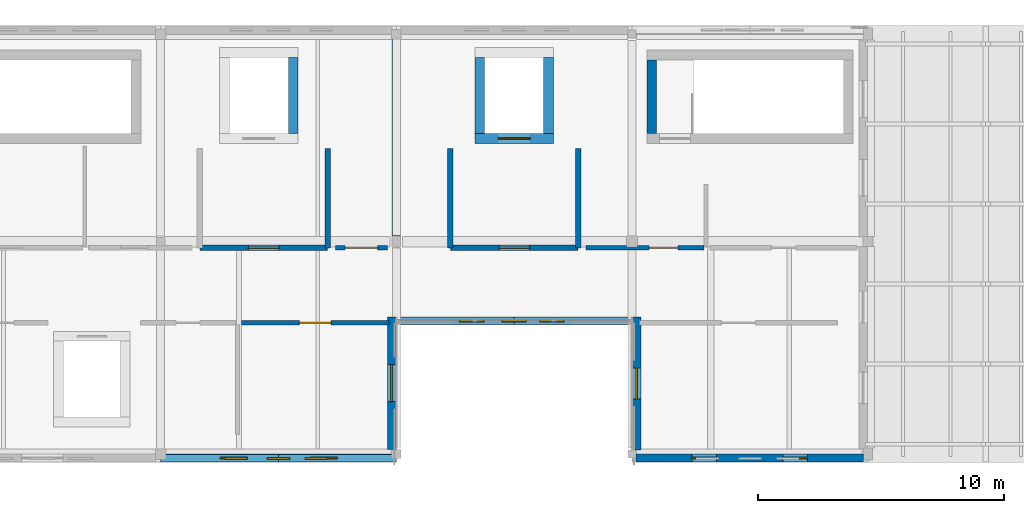
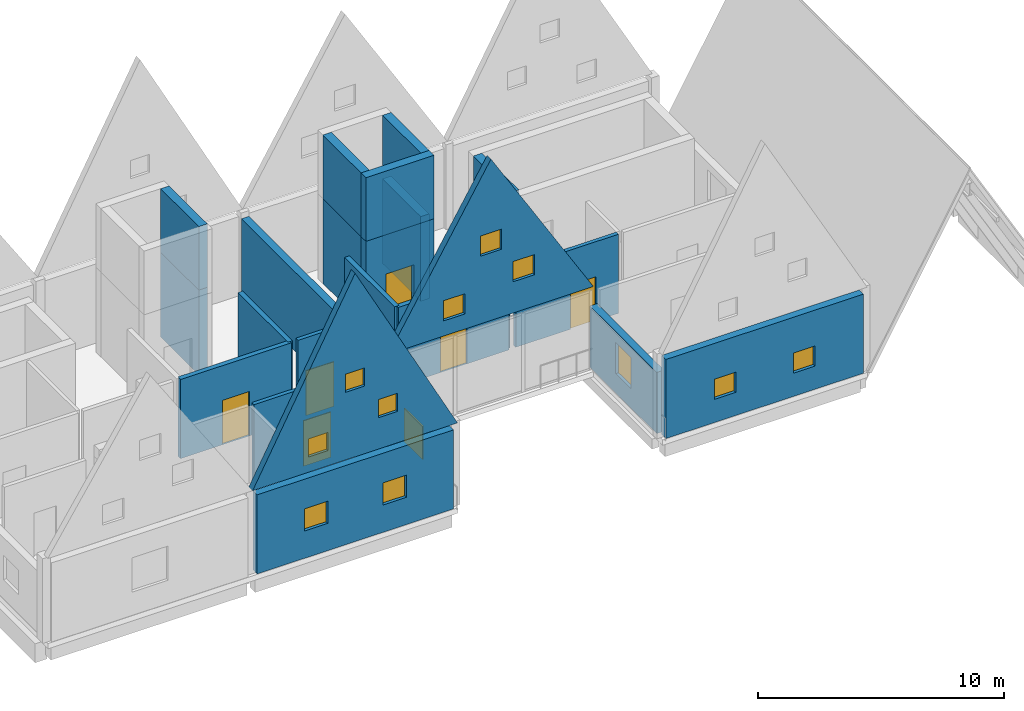
# One storey, part 9 of 13: 24 walls, 12 windows, 6 doors, 18 openings.
"""IFC4 building model written with IfcOpenShell, lengths in metres."""

from ifc_helpers import new_model, si_unit, direction, frame, frame_2d, origin, place, context, subcontext, project, spatial, polyline, rectangle, outline, extrude, material, layer, layer_set, type_object, element, fill, save


model = new_model("IFC4")

# Units and contexts
model_context = context("Model", 3, precision=1e-05, world=origin(), true_north=direction((0.0, 1.0)))
body_context = subcontext(model_context, "Body", "Model", "MODEL_VIEW")
ifc_project = project(units=[si_unit("LENGTHUNIT", "METRE"), si_unit("AREAUNIT", "SQUARE_METRE"), si_unit("VOLUMEUNIT", "CUBIC_METRE"), si_unit("PLANEANGLEUNIT", "RADIAN"), si_unit("MASSUNIT", "GRAM", prefix="KILO")], contexts=[model_context])

# Site, building, storey
site_placement = place(None, origin())
site = spatial("IfcSite", under=ifc_project, at=site_placement, CompositionType="ELEMENT")
building_placement = place(site_placement, origin())
building = spatial("IfcBuilding", under=site, at=building_placement, Name="Birchvale Park Specialist Clinic", CompositionType="ELEMENT")
storey_placement = place(building_placement, frame((0.0, 0.0, 22.199951171875)))
storey = spatial("IfcBuildingStorey", under=building, at=storey_placement, Name="L05", CompositionType="ELEMENT", Elevation=22.199951171875)

# Walls
ifc_material_1 = material(Name="Concrete C40/50", Category="concrete")
ifc_layer_1 = layer(ifc_material_1, 0.39990234375)
ifc_layer_set_1 = layer_set([ifc_layer_1], Name="Concrete C40/50")
wall_type_1 = type_object("IfcWallType", Name="WL-CW-120", PredefinedType="SHEAR", material=ifc_layer_set_1)
wall_1_placement = place(storey_placement, frame((91.0, 30.199951171875, 0.0), z_axis=(0.0, 0.0, 1.0), x_axis=(0.0, 1.0, 0.0)))
element("IfcWall", 1, at=wall_1_placement, inside=storey, type_object=wall_type_1, Name="L05 stair ST5 EI 120 enclosure wall (west)", PredefinedType="SHEAR", context=body_context, shape_type="SweptSolid", body=[
    extrude(rectangle(XDim=3.0, YDim=0.39990234375, at=frame_2d((1.5, 0.0))), origin(), (0.0, 0.0, 1.0), 3.920166015625),
])
wall_2_placement = place(storey_placement, frame((76.39990234375, 33.300048828125, 0.0), z_axis=(0.0, 0.0, 1.0), x_axis=(0.0, -1.0, 0.0)))
element("IfcWall", 2, at=wall_2_placement, inside=storey, type_object=wall_type_1, Name="L05 lift LF1 shaft wall (east)", PredefinedType="SHEAR", context=body_context, shape_type="SweptSolid", body=[
    extrude(rectangle(XDim=3.10009765625, YDim=0.39990234375, at=frame_2d((1.550048828125, 0.0))), origin(), (0.0, 0.0, 1.0), 4.199951171875),
])
wall_3_placement = place(storey_placement, frame((76.39990234375, 33.300048828125, 4.199951171875), z_axis=(0.0, 0.0, 1.0), x_axis=(0.0, -1.0, 0.0)))
element("IfcWall", 3, at=wall_3_placement, inside=storey, type_object=wall_type_1, Name="L06 lift LF1 shaft wall (east)", PredefinedType="SHEAR", context=body_context, shape_type="SweptSolid", body=[
    extrude(rectangle(XDim=3.10009765625, YDim=0.39990234375, at=frame_2d((1.550048828125, 0.0))), origin(), (0.0, 0.0, 1.0), 3.150146484375),
])

# Wall, opening, door
wall_4_placement = place(storey_placement, frame((83.800048828125, 30.0, 0.0), z_axis=(0.0, 0.0, 1.0), x_axis=(1.0, 0.0, 0.0)))
wall_4 = element("IfcWall", 4, at=wall_4_placement, inside=storey, type_object=wall_type_1, Name="L05 lift LF2 shaft wall (south)", PredefinedType="SHEAR", context=body_context, shape_type="SweptSolid", body=[
    extrude(rectangle(XDim=3.199951171875, YDim=0.39990234375, at=frame_2d((1.60009765625, 0.0))), origin(), (0.0, 0.0, 1.0), 4.199951171875),
])
opening_1_placement = place(wall_4_placement, frame((0.949951171875, 0.0, 0.0)))
opening_1 = element("IfcOpeningElement", 5, at=opening_1_placement, cuts=wall_4, Name="Opening LD-02", PredefinedType="OPENING", context=body_context, shape_type="SweptSolid", body=[
    extrude(rectangle(XDim=1.300048828125, YDim=2.25, at=frame_2d((0.64990234375, 1.125))), frame((0.0, 0.2099609375, 0.0), z_axis=(0.0, -1.0, 0.0), x_axis=(1.0, 0.0, 0.0)), (0.0, 0.0, 1.0), 0.419921875),
])
ifc_material_2 = material(Name="Solid-core birch veneer and anodised aluminium", Category="aluminium")
door_type_1 = type_object("IfcDoorType", Name="DR-LD-02", OperationType="DOUBLE_DOOR_SLIDING", PredefinedType="DOOR", material=ifc_material_2)
door_1_placement = place(opening_1_placement, origin())
door_1 = element("IfcDoor", 6, at=door_1_placement, inside=storey, type_object=door_type_1, Name="L05 lift LF2 sliding landing door", OperationType="DOUBLE_DOOR_SLIDING", OverallHeight=2.25, OverallWidth=1.300048828125, PredefinedType="DOOR", context=body_context, shape_type="SweptSolid", body=[
    extrude(rectangle(XDim=1.300048828125, YDim=2.25, at=frame_2d((0.64990234375, 1.125))), frame((0.0, 0.02490234375, 0.0), z_axis=(0.0, -1.0, 0.0), x_axis=(1.0, 0.0, 0.0)), (0.0, 0.0, 1.0), 0.050048828125),
])
fill(opening_1, door_1)

# Walls
for number, where, z_axis, x_axis, name in (
    (7, (84.0, 30.199951171875, 0.0), (0.0, 0.0, 1.0), (0.0, 1.0, 0.0), "L05 lift LF2 shaft wall (west)"),
    (8, (86.800048828125, 33.300048828125, 0.0), (0.0, 0.0, 1.0), (0.0, -1.0, 0.0), "L05 lift LF2 shaft wall (east)"),
):
    element("IfcWall", number, at=place(storey_placement, frame(where, z_axis=z_axis, x_axis=x_axis)), inside=storey, type_object=wall_type_1, Name=name, PredefinedType="SHEAR", context=body_context, shape_type="SweptSolid", body=[
        extrude(rectangle(XDim=3.10009765625, YDim=0.39990234375, at=frame_2d((1.550048828125, 0.0))), origin(), (0.0, 0.0, 1.0), 4.199951171875),
    ])
wall_5_placement = place(storey_placement, frame((83.800048828125, 30.0, 4.199951171875), z_axis=(0.0, 0.0, 1.0), x_axis=(1.0, 0.0, 0.0)))
element("IfcWall", 9, at=wall_5_placement, inside=storey, type_object=wall_type_1, Name="L06 lift LF2 shaft wall (south)", PredefinedType="SHEAR", context=body_context, shape_type="SweptSolid", body=[
    extrude(rectangle(XDim=3.199951171875, YDim=0.39990234375, at=frame_2d((1.60009765625, 0.0))), origin(), (0.0, 0.0, 1.0), 3.150146484375),
])
for number, where, z_axis, x_axis, name in (
    (10, (84.0, 30.199951171875, 4.199951171875), (0.0, 0.0, 1.0), (0.0, 1.0, 0.0), "L06 lift LF2 shaft wall (west)"),
    (11, (86.800048828125, 33.300048828125, 4.199951171875), (0.0, 0.0, 1.0), (0.0, -1.0, 0.0), "L06 lift LF2 shaft wall (east)"),
):
    element("IfcWall", number, at=place(storey_placement, frame(where, z_axis=z_axis, x_axis=x_axis)), inside=storey, type_object=wall_type_1, Name=name, PredefinedType="SHEAR", context=body_context, shape_type="SweptSolid", body=[
        extrude(rectangle(XDim=3.10009765625, YDim=0.39990234375, at=frame_2d((1.550048828125, 0.0))), origin(), (0.0, 0.0, 1.0), 3.150146484375),
    ])

# Wall, openings, windows
ifc_material_3 = material(Name="Lime-white mineral-rendered insulated masonry", Category="masonry")
ifc_layer_2 = layer(ifc_material_3, 0.340087890625)
ifc_layer_set_2 = layer_set([ifc_layer_2], Name="Lime-white mineral-rendered insulated masonry")
wall_type_2 = type_object("IfcWallType", Name="WL-EW-01", PredefinedType="STANDARD", material=ifc_layer_set_2)
wall_6_placement = place(storey_placement, frame((71.2099609375, 16.989990234375, 0.0), z_axis=(0.0, 0.0, 1.0), x_axis=(1.0, 0.0, 0.0)))
wall_6 = element("IfcWall", 12, at=wall_6_placement, inside=storey, type_object=wall_type_2, Name="V4 L05 exterior facade wall 297", PredefinedType="STANDARD", context=body_context, shape_type="SweptSolid", body=[
    extrude(rectangle(XDim=9.205078125, YDim=0.340087890625, at=frame_2d((4.6025390625, 0.0))), origin(), (0.0, 0.0, 1.0), 3.920166015625),
])
opening_2_placement = place(wall_6_placement, frame((2.21142578125, 0.0, 1.35009765625)))
opening_2 = element("IfcOpeningElement", 13, at=opening_2_placement, cuts=wall_6, Name="Opening W-SQ11", PredefinedType="OPENING", context=body_context, shape_type="SweptSolid", body=[
    extrude(rectangle(XDim=1.10009765625, YDim=1.10009765625, at=frame_2d((0.550048828125, 0.550048828125))), frame((0.0, 0.18017578125, 0.0), z_axis=(0.0, -1.0, 0.0), x_axis=(1.0, 0.0, 0.0)), (0.0, 0.0, 1.0), 0.360107421875),
])
opening_3_placement = place(wall_6_placement, frame((5.8935546875, 0.0, 1.35009765625)))
opening_3 = element("IfcOpeningElement", 14, at=opening_3_placement, cuts=wall_6, Name="Opening W-SQ11", PredefinedType="OPENING", context=body_context, shape_type="SweptSolid", body=[
    extrude(rectangle(XDim=1.10009765625, YDim=1.10009765625, at=frame_2d((0.550048828125, 0.550048828125))), frame((0.0, 0.18017578125, 0.0), z_axis=(0.0, -1.0, 0.0), x_axis=(1.0, 0.0, 0.0)), (0.0, 0.0, 1.0), 0.360107421875),
])
ifc_material_4 = material(Name="Solar-control low-E double glazing", Category="glass")
window_type_1 = type_object("IfcWindowType", Name="WIN-W-SQ11", PartitioningType="SINGLE_PANEL", PredefinedType="WINDOW", material=ifc_material_4)
window_1_placement = place(opening_2_placement, origin())
window_1 = element("IfcWindow", 15, at=window_1_placement, inside=storey, type_object=window_type_1, Name="V4 L05 cased window 155", OverallHeight=1.10009765625, OverallWidth=1.10009765625, PartitioningType="SINGLE_PANEL", PredefinedType="WINDOW", context=body_context, shape_type="SweptSolid", body=[
    extrude(rectangle(XDim=1.10009765625, YDim=1.10009765625, at=frame_2d((0.550048828125, 0.550048828125))), frame((0.0, 0.030029296875, 0.0), z_axis=(0.0, -1.0, 0.0), x_axis=(1.0, 0.0, 0.0)), (0.0, 0.0, 1.0), 0.06005859375),
])
fill(opening_2, window_1)
window_2_placement = place(opening_3_placement, origin())
window_2 = element("IfcWindow", 16, at=window_2_placement, inside=storey, type_object=window_type_1, Name="V4 L05 cased window 156", OverallHeight=1.10009765625, OverallWidth=1.10009765625, PartitioningType="SINGLE_PANEL", PredefinedType="WINDOW", context=body_context, shape_type="SweptSolid", body=[
    extrude(rectangle(XDim=1.10009765625, YDim=1.10009765625, at=frame_2d((0.550048828125, 0.550048828125))), frame((0.0, 0.030029296875, 0.0), z_axis=(0.0, -1.0, 0.0), x_axis=(1.0, 0.0, 0.0)), (0.0, 0.0, 1.0), 0.06005859375),
])
fill(opening_3, window_2)

# Wall, opening, window
wall_7_placement = place(storey_placement, frame((80.409912109375, 17.3349609375, 0.0), z_axis=(0.0, 0.0, 1.0), x_axis=(0.0, 1.0, 0.0)))
wall_7 = element("IfcWall", 17, at=wall_7_placement, inside=storey, type_object=wall_type_2, Name="V4 L05 exterior facade wall 298", PredefinedType="STANDARD", context=body_context, shape_type="SweptSolid", body=[
    extrude(rectangle(XDim=5.405029296875, YDim=0.340087890625, at=frame_2d((2.70263671875, 0.0))), origin(), (0.0, 0.0, 1.0), 3.03515625),
])
opening_4_placement = place(wall_7_placement, frame((1.952392578125, 0.0, 0.949951171875)))
opening_4 = element("IfcOpeningElement", 18, at=opening_4_placement, cuts=wall_7, Name="Opening W-CL03", PredefinedType="OPENING", context=body_context, shape_type="SweptSolid", body=[
    extrude(rectangle(XDim=1.5, YDim=1.64990234375, at=frame_2d((0.75, 0.824951171875))), frame((0.0, 0.18017578125, 0.0), z_axis=(0.0, -1.0, 0.0), x_axis=(1.0, 0.0, 0.0)), (0.0, 0.0, 1.0), 0.360107421875),
])
window_type_2 = type_object("IfcWindowType", Name="WIN-W-CL03", PartitioningType="SINGLE_PANEL", PredefinedType="WINDOW", material=ifc_material_4)
window_3_placement = place(opening_4_placement, origin())
window_3 = element("IfcWindow", 19, at=window_3_placement, inside=storey, type_object=window_type_2, Name="V4 L05 cased window 157", OverallHeight=1.64990234375, OverallWidth=1.5, PartitioningType="SINGLE_PANEL", PredefinedType="WINDOW", context=body_context, shape_type="SweptSolid", body=[
    extrude(rectangle(XDim=1.5, YDim=1.64990234375, at=frame_2d((0.75, 0.824951171875))), frame((0.0, 0.030029296875, 0.0), z_axis=(0.0, -1.0, 0.0), x_axis=(1.0, 0.0, 0.0)), (0.0, 0.0, 1.0), 0.06005859375),
])
fill(opening_4, window_3)

wall_8_placement = place(storey_placement, frame((90.389892578125, 22.739990234375, 0.0), z_axis=(0.0, 0.0, 1.0), x_axis=(0.0, -1.0, 0.0)))
wall_8 = element("IfcWall", 20, at=wall_8_placement, inside=storey, type_object=wall_type_2, Name="V4 L05 exterior facade wall 299", PredefinedType="STANDARD", context=body_context, shape_type="SweptSolid", body=[
    extrude(rectangle(XDim=5.429931640625, YDim=0.340087890625, at=frame_2d((2.71484375, 0.0))), origin(), (0.0, 0.0, 1.0), 3.03515625),
])
opening_5_placement = place(wall_8_placement, frame((2.090087890625, 0.0, 0.949951171875)))
opening_5 = element("IfcOpeningElement", 21, at=opening_5_placement, cuts=wall_8, Name="Opening W-CL14", PredefinedType="OPENING", context=body_context, shape_type="SweptSolid", body=[
    extrude(rectangle(XDim=1.25, YDim=1.550048828125, at=frame_2d((0.625, 0.77490234375))), frame((0.0, 0.18017578125, 0.0), z_axis=(0.0, -1.0, 0.0), x_axis=(1.0, 0.0, 0.0)), (0.0, 0.0, 1.0), 0.360107421875),
])
window_type_3 = type_object("IfcWindowType", Name="WIN-W-CL14", PartitioningType="SINGLE_PANEL", PredefinedType="WINDOW", material=ifc_material_4)
window_4_placement = place(opening_5_placement, origin())
window_4 = element("IfcWindow", 22, at=window_4_placement, inside=storey, type_object=window_type_3, Name="V4 L05 cased window 158", OverallHeight=1.550048828125, OverallWidth=1.25, PartitioningType="SINGLE_PANEL", PredefinedType="WINDOW", context=body_context, shape_type="SweptSolid", body=[
    extrude(rectangle(XDim=1.25, YDim=1.550048828125, at=frame_2d((0.625, 0.77490234375))), frame((0.0, 0.030029296875, 0.0), z_axis=(0.0, -1.0, 0.0), x_axis=(1.0, 0.0, 0.0)), (0.0, 0.0, 1.0), 0.06005859375),
])
fill(opening_5, window_4)

# Wall, openings, windows
wall_9_placement = place(storey_placement, frame((90.360107421875, 16.989990234375, 0.0), z_axis=(0.0, 0.0, 1.0), x_axis=(1.0, 0.0, 0.0)))
wall_9 = element("IfcWall", 23, at=wall_9_placement, inside=storey, type_object=wall_type_2, Name="V4 L05 exterior facade wall 300", PredefinedType="STANDARD", context=body_context, shape_type="SweptSolid", body=[
    extrude(rectangle(XDim=9.260009765625, YDim=0.340087890625, at=frame_2d((4.6298828125, 0.0))), origin(), (0.0, 0.0, 1.0), 3.920166015625),
])
opening_6_placement = place(wall_9_placement, frame((2.278076171875, 0.0, 1.14990234375)))
opening_6 = element("IfcOpeningElement", 24, at=opening_6_placement, cuts=wall_9, Name="Opening W-SQ10", PredefinedType="OPENING", context=body_context, shape_type="SweptSolid", body=[
    extrude(rectangle(XDim=1.0, YDim=1.0, at=frame_2d((0.5, 0.5))), frame((0.0, 0.18017578125, 0.0), z_axis=(0.0, -1.0, 0.0), x_axis=(1.0, 0.0, 0.0)), (0.0, 0.0, 1.0), 0.360107421875),
])
opening_7_placement = place(wall_9_placement, frame((5.98193359375, 0.0, 1.14990234375)))
opening_7 = element("IfcOpeningElement", 25, at=opening_7_placement, cuts=wall_9, Name="Opening W-SQ10", PredefinedType="OPENING", context=body_context, shape_type="SweptSolid", body=[
    extrude(rectangle(XDim=1.0, YDim=1.0, at=frame_2d((0.5, 0.5))), frame((0.0, 0.18017578125, 0.0), z_axis=(0.0, -1.0, 0.0), x_axis=(1.0, 0.0, 0.0)), (0.0, 0.0, 1.0), 0.360107421875),
])
window_type_4 = type_object("IfcWindowType", Name="WIN-W-SQ10", PartitioningType="SINGLE_PANEL", PredefinedType="WINDOW", material=ifc_material_4)
window_5_placement = place(opening_6_placement, origin())
window_5 = element("IfcWindow", 26, at=window_5_placement, inside=storey, type_object=window_type_4, Name="V4 L05 cased window 159", OverallHeight=1.0, OverallWidth=1.0, PartitioningType="SINGLE_PANEL", PredefinedType="WINDOW", context=body_context, shape_type="SweptSolid", body=[
    extrude(rectangle(XDim=1.0, YDim=1.0, at=frame_2d((0.5, 0.5))), frame((0.0, 0.030029296875, 0.0), z_axis=(0.0, -1.0, 0.0), x_axis=(1.0, 0.0, 0.0)), (0.0, 0.0, 1.0), 0.06005859375),
])
fill(opening_6, window_5)
window_6_placement = place(opening_7_placement, origin())
window_6 = element("IfcWindow", 27, at=window_6_placement, inside=storey, type_object=window_type_4, Name="V4 L05 cased window 160", OverallHeight=1.0, OverallWidth=1.0, PartitioningType="SINGLE_PANEL", PredefinedType="WINDOW", context=body_context, shape_type="SweptSolid", body=[
    extrude(rectangle(XDim=1.0, YDim=1.0, at=frame_2d((0.5, 0.5))), frame((0.0, 0.030029296875, 0.0), z_axis=(0.0, -1.0, 0.0), x_axis=(1.0, 0.0, 0.0)), (0.0, 0.0, 1.0), 0.06005859375),
])
fill(opening_7, window_6)

ifc_layer_3 = layer(ifc_material_3, 0.31005859375)
ifc_layer_set_3 = layer_set([ifc_layer_3], Name="Lime-white mineral-rendered insulated masonry")
wall_type_3 = type_object("IfcWallType", Name="WL-EW-02", PredefinedType="STANDARD", material=ifc_layer_set_3)
wall_10_placement = place(storey_placement, frame((71.0, 16.97509765625, 4.199951171875), z_axis=(0.0, 0.0, 1.0), x_axis=(1.0, 0.0, 0.0)))
wall_10 = element("IfcWall", 28, at=wall_10_placement, inside=storey, type_object=wall_type_3, Name="L06 white house-gable end wall Bay 3 S", PredefinedType="STANDARD", context=body_context, shape_type="SweptSolid", body=[
    extrude(outline(polyline([(0.0, 0.0), (9.60009765625, 0.0), (9.60009765625, 0.0), (4.800048828125, 9.090087890625), (0.0, 0.0), (0.0, 0.0)])), frame((0.0, 0.155029296875, 0.0), z_axis=(0.0, -1.0, 0.0), x_axis=(1.0, 0.0, 0.0)), (0.0, 0.0, 1.0), 0.31005859375),
])
opening_8_placement = place(wall_10_placement, frame((2.6220703125, 0.0, 0.75)))
opening_8 = element("IfcOpeningElement", 29, at=opening_8_placement, cuts=wall_10, Name="Opening W-SQ09", PredefinedType="OPENING", context=body_context, shape_type="SweptSolid", body=[
    extrude(rectangle(XDim=0.89990234375, YDim=0.89990234375, at=frame_2d((0.449951171875, 0.449951171875))), frame((0.0, 0.1650390625, 0.0), z_axis=(0.0, -1.0, 0.0), x_axis=(1.0, 0.0, 0.0)), (0.0, 0.0, 1.0), 0.330078125),
])
opening_9_placement = place(wall_10_placement, frame((5.885986328125, 0.0, 1.550048828125)))
opening_9 = element("IfcOpeningElement", 30, at=opening_9_placement, cuts=wall_10, Name="Opening W-SQ09", PredefinedType="OPENING", context=body_context, shape_type="SweptSolid", body=[
    extrude(rectangle(XDim=0.89990234375, YDim=0.89990234375, at=frame_2d((0.449951171875, 0.449951171875))), frame((0.0, 0.1650390625, 0.0), z_axis=(0.0, -1.0, 0.0), x_axis=(1.0, 0.0, 0.0)), (0.0, 0.0, 1.0), 0.330078125),
])
opening_10_placement = place(wall_10_placement, frame((4.35009765625, 0.0, 3.35009765625)))
opening_10 = element("IfcOpeningElement", 31, at=opening_10_placement, cuts=wall_10, Name="Opening W-SQ09", PredefinedType="OPENING", context=body_context, shape_type="SweptSolid", body=[
    extrude(rectangle(XDim=0.89990234375, YDim=0.89990234375, at=frame_2d((0.449951171875, 0.449951171875))), frame((0.0, 0.1650390625, 0.0), z_axis=(0.0, -1.0, 0.0), x_axis=(1.0, 0.0, 0.0)), (0.0, 0.0, 1.0), 0.330078125),
])
window_type_5 = type_object("IfcWindowType", Name="WIN-W-SQ09", PartitioningType="SINGLE_PANEL", PredefinedType="WINDOW", material=ifc_material_4)
window_7_placement = place(opening_8_placement, origin())
window_7 = element("IfcWindow", 32, at=window_7_placement, inside=storey, type_object=window_type_5, Name="L06 gable square window Bay 3 S.1", OverallHeight=0.89990234375, OverallWidth=0.89990234375, PartitioningType="SINGLE_PANEL", PredefinedType="WINDOW", context=body_context, shape_type="SweptSolid", body=[
    extrude(rectangle(XDim=0.89990234375, YDim=0.89990234375, at=frame_2d((0.449951171875, 0.449951171875))), frame((0.0, 0.030029296875, 0.0), z_axis=(0.0, -1.0, 0.0), x_axis=(1.0, 0.0, 0.0)), (0.0, 0.0, 1.0), 0.06005859375),
])
fill(opening_8, window_7)
window_8_placement = place(opening_9_placement, origin())
window_8 = element("IfcWindow", 33, at=window_8_placement, inside=storey, type_object=window_type_5, Name="L06 gable square window Bay 3 S.2", OverallHeight=0.89990234375, OverallWidth=0.89990234375, PartitioningType="SINGLE_PANEL", PredefinedType="WINDOW", context=body_context, shape_type="SweptSolid", body=[
    extrude(rectangle(XDim=0.89990234375, YDim=0.89990234375, at=frame_2d((0.449951171875, 0.449951171875))), frame((0.0, 0.030029296875, 0.0), z_axis=(0.0, -1.0, 0.0), x_axis=(1.0, 0.0, 0.0)), (0.0, 0.0, 1.0), 0.06005859375),
])
fill(opening_9, window_8)
window_9_placement = place(opening_10_placement, origin())
window_9 = element("IfcWindow", 34, at=window_9_placement, inside=storey, type_object=window_type_5, Name="L06 gable square window Bay 3 S.3", OverallHeight=0.89990234375, OverallWidth=0.89990234375, PartitioningType="SINGLE_PANEL", PredefinedType="WINDOW", context=body_context, shape_type="SweptSolid", body=[
    extrude(rectangle(XDim=0.89990234375, YDim=0.89990234375, at=frame_2d((0.449951171875, 0.449951171875))), frame((0.0, 0.030029296875, 0.0), z_axis=(0.0, -1.0, 0.0), x_axis=(1.0, 0.0, 0.0)), (0.0, 0.0, 1.0), 0.06005859375),
])
fill(opening_10, window_9)

wall_11_placement = place(storey_placement, frame((80.60009765625, 22.574951171875, 4.199951171875), z_axis=(0.0, 0.0, 1.0), x_axis=(1.0, 0.0, 0.0)))
wall_11 = element("IfcWall", 35, at=wall_11_placement, inside=storey, type_object=wall_type_3, Name="L06 white house-gable end wall Bay 4 S", PredefinedType="STANDARD", context=body_context, shape_type="SweptSolid", body=[
    extrude(outline(polyline([(0.0, 0.0), (9.599853515625, 0.0), (9.60009765625, 0.0), (4.800048828125, 7.989990234375), (0.0, 0.0), (0.0, 0.0)])), frame((0.0, 0.155029296875, 0.0), z_axis=(0.0, -1.0, 0.0), x_axis=(1.0, 0.0, 0.0)), (0.0, 0.0, 1.0), 0.31005859375),
])
opening_11_placement = place(wall_11_placement, frame((2.572021484375, 0.0, 0.75)))
opening_11 = element("IfcOpeningElement", 36, at=opening_11_placement, cuts=wall_11, Name="Opening W-SQ10", PredefinedType="OPENING", context=body_context, shape_type="SweptSolid", body=[
    extrude(rectangle(XDim=1.0, YDim=1.0, at=frame_2d((0.5, 0.5))), frame((0.0, 0.1650390625, 0.0), z_axis=(0.0, -1.0, 0.0), x_axis=(1.0, 0.0, 0.0)), (0.0, 0.0, 1.0), 0.330078125),
])
opening_12_placement = place(wall_11_placement, frame((5.8359375, 0.0, 1.550048828125)))
opening_12 = element("IfcOpeningElement", 37, at=opening_12_placement, cuts=wall_11, Name="Opening W-SQ10", PredefinedType="OPENING", context=body_context, shape_type="SweptSolid", body=[
    extrude(rectangle(XDim=1.0, YDim=1.0, at=frame_2d((0.5, 0.5))), frame((0.0, 0.1650390625, 0.0), z_axis=(0.0, -1.0, 0.0), x_axis=(1.0, 0.0, 0.0)), (0.0, 0.0, 1.0), 0.330078125),
])
opening_13_placement = place(wall_11_placement, frame((4.300048828125, 0.0, 3.35009765625)))
opening_13 = element("IfcOpeningElement", 38, at=opening_13_placement, cuts=wall_11, Name="Opening W-SQ10", PredefinedType="OPENING", context=body_context, shape_type="SweptSolid", body=[
    extrude(rectangle(XDim=1.0, YDim=1.0, at=frame_2d((0.5, 0.5))), frame((0.0, 0.1650390625, 0.0), z_axis=(0.0, -1.0, 0.0), x_axis=(1.0, 0.0, 0.0)), (0.0, 0.0, 1.0), 0.330078125),
])
window_10_placement = place(opening_11_placement, origin())
window_10 = element("IfcWindow", 39, at=window_10_placement, inside=storey, type_object=window_type_4, Name="L06 gable square window Bay 4 S.1", OverallHeight=1.0, OverallWidth=1.0, PartitioningType="SINGLE_PANEL", PredefinedType="WINDOW", context=body_context, shape_type="SweptSolid", body=[
    extrude(rectangle(XDim=1.0, YDim=1.0, at=frame_2d((0.5, 0.5))), frame((0.0, 0.030029296875, 0.0), z_axis=(0.0, -1.0, 0.0), x_axis=(1.0, 0.0, 0.0)), (0.0, 0.0, 1.0), 0.06005859375),
])
fill(opening_11, window_10)
window_11_placement = place(opening_12_placement, origin())
window_11 = element("IfcWindow", 40, at=window_11_placement, inside=storey, type_object=window_type_4, Name="L06 gable square window Bay 4 S.2", OverallHeight=1.0, OverallWidth=1.0, PartitioningType="SINGLE_PANEL", PredefinedType="WINDOW", context=body_context, shape_type="SweptSolid", body=[
    extrude(rectangle(XDim=1.0, YDim=1.0, at=frame_2d((0.5, 0.5))), frame((0.0, 0.030029296875, 0.0), z_axis=(0.0, -1.0, 0.0), x_axis=(1.0, 0.0, 0.0)), (0.0, 0.0, 1.0), 0.06005859375),
])
fill(opening_12, window_11)
window_12_placement = place(opening_13_placement, origin())
window_12 = element("IfcWindow", 41, at=window_12_placement, inside=storey, type_object=window_type_4, Name="L06 gable square window Bay 4 S.3", OverallHeight=1.0, OverallWidth=1.0, PartitioningType="SINGLE_PANEL", PredefinedType="WINDOW", context=body_context, shape_type="SweptSolid", body=[
    extrude(rectangle(XDim=1.0, YDim=1.0, at=frame_2d((0.5, 0.5))), frame((0.0, 0.030029296875, 0.0), z_axis=(0.0, -1.0, 0.0), x_axis=(1.0, 0.0, 0.0)), (0.0, 0.0, 1.0), 0.06005859375),
])
fill(opening_13, window_12)

# Wall, opening, door
ifc_material_5 = material(Name="Acoustic gypsum board on metal framing")
ifc_layer_4 = layer(ifc_material_5, 0.219970703125)
ifc_layer_set_4 = layer_set([ifc_layer_4], Name="Acoustic gypsum board on metal framing")
wall_type_4 = type_object("IfcWallType", Name="WL-IW-120", PredefinedType="PARTITIONING", material=ifc_layer_set_4)
wall_12_placement = place(storey_placement, frame((72.60009765625, 25.550048828125, 0.0), z_axis=(0.0, 0.0, 1.0), x_axis=(1.0, 0.0, 0.0)))
wall_12 = element("IfcWall", 42, at=wall_12_placement, inside=storey, type_object=wall_type_4, Name="L05 firefighting lift lobby K4 EI 120 wall (south)", PredefinedType="PARTITIONING", context=body_context, shape_type="SweptSolid", body=[
    extrude(rectangle(XDim=5.199951171875, YDim=0.219970703125, at=frame_2d((2.60009765625, 0.0))), origin(), (0.0, 0.0, 1.0), 3.920166015625),
])
opening_14_placement = place(wall_12_placement, frame((1.97509765625, 0.0, 0.0)))
opening_14 = element("IfcOpeningElement", 43, at=opening_14_placement, cuts=wall_12, Name="Opening ID-FD60", PredefinedType="OPENING", context=body_context, shape_type="SweptSolid", body=[
    extrude(rectangle(XDim=1.25, YDim=2.199951171875, at=frame_2d((0.625, 1.10009765625))), frame((0.0, 0.1201171875, 0.0), z_axis=(0.0, -1.0, 0.0), x_axis=(1.0, 0.0, 0.0)), (0.0, 0.0, 1.0), 0.239990234375),
])
door_type_2 = type_object("IfcDoorType", Name="DR-ID-FD60", OperationType="NOTDEFINED", PredefinedType="DOOR", material=ifc_material_2)
door_2_placement = place(opening_14_placement, origin())
door_2 = element("IfcDoor", 44, at=door_2_placement, inside=storey, type_object=door_type_2, Name="L05 firefighting lobby K4 fire door", OperationType="SINGLE_SWING_RIGHT", OverallHeight=2.199951171875, OverallWidth=1.25, PredefinedType="DOOR", context=body_context, shape_type="SweptSolid", body=[
    extrude(rectangle(XDim=1.25, YDim=2.199951171875, at=frame_2d((0.625, 1.10009765625))), frame((0.0, 0.02490234375, 0.0), z_axis=(0.0, -1.0, 0.0), x_axis=(1.0, 0.0, 0.0)), (0.0, 0.0, 1.0), 0.050048828125),
])
fill(opening_14, door_2)

# Walls
for number, where, z_axis, x_axis, name in (
    (45, (77.800048828125, 25.550048828125, 0.0), (0.0, 0.0, 1.0), (0.0, 1.0, 0.0), "L05 firefighting lift lobby K4 EI 120 wall (east)"),
    (46, (82.800048828125, 29.60009765625, 0.0), (0.0, 0.0, 1.0), (0.0, -1.0, 0.0), "L05 firefighting lift lobby K5 EI 120 wall (west)"),
):
    element("IfcWall", number, at=place(storey_placement, frame(where, z_axis=z_axis, x_axis=x_axis)), inside=storey, type_object=wall_type_4, Name=name, PredefinedType="PARTITIONING", context=body_context, shape_type="SweptSolid", body=[
        extrude(rectangle(XDim=4.050048828125, YDim=0.219970703125, at=frame_2d((2.02490234375, 0.0))), origin(), (0.0, 0.0, 1.0), 3.920166015625),
    ])

# Wall, opening, door
wall_13_placement = place(storey_placement, frame((82.800048828125, 25.550048828125, 0.0), z_axis=(0.0, 0.0, 1.0), x_axis=(1.0, 0.0, 0.0)))
wall_13 = element("IfcWall", 47, at=wall_13_placement, inside=storey, type_object=wall_type_4, Name="L05 firefighting lift lobby K5 EI 120 wall (south)", PredefinedType="PARTITIONING", context=body_context, shape_type="SweptSolid", body=[
    extrude(rectangle(XDim=5.199951171875, YDim=0.219970703125, at=frame_2d((2.60009765625, 0.0))), origin(), (0.0, 0.0, 1.0), 3.920166015625),
])
opening_15_placement = place(wall_13_placement, frame((1.97509765625, 0.0, 0.0)))
opening_15 = element("IfcOpeningElement", 48, at=opening_15_placement, cuts=wall_13, Name="Opening ID-FD60", PredefinedType="OPENING", context=body_context, shape_type="SweptSolid", body=[
    extrude(rectangle(XDim=1.25, YDim=2.199951171875, at=frame_2d((0.625, 1.10009765625))), frame((0.0, 0.1201171875, 0.0), z_axis=(0.0, -1.0, 0.0), x_axis=(1.0, 0.0, 0.0)), (0.0, 0.0, 1.0), 0.239990234375),
])
door_3_placement = place(opening_15_placement, origin())
door_3 = element("IfcDoor", 49, at=door_3_placement, inside=storey, type_object=door_type_2, Name="L05 firefighting lobby K5 fire door", OperationType="SINGLE_SWING_LEFT", OverallHeight=2.199951171875, OverallWidth=1.25, PredefinedType="DOOR", context=body_context, shape_type="SweptSolid", body=[
    extrude(rectangle(XDim=1.25, YDim=2.199951171875, at=frame_2d((0.625, 1.10009765625))), frame((0.0, 0.02490234375, 0.0), z_axis=(0.0, -1.0, 0.0), x_axis=(1.0, 0.0, 0.0)), (0.0, 0.0, 1.0), 0.050048828125),
])
fill(opening_15, door_3)

# Wall
wall_14_placement = place(storey_placement, frame((88.0, 25.550048828125, 0.0), z_axis=(0.0, 0.0, 1.0), x_axis=(0.0, 1.0, 0.0)))
element("IfcWall", 50, at=wall_14_placement, inside=storey, type_object=wall_type_4, Name="L05 firefighting lift lobby K5 EI 120 wall (east)", PredefinedType="PARTITIONING", context=body_context, shape_type="SweptSolid", body=[
    extrude(rectangle(XDim=4.050048828125, YDim=0.219970703125, at=frame_2d((2.02490234375, 0.0))), origin(), (0.0, 0.0, 1.0), 3.920166015625),
])

# Wall, opening, door
ifc_layer_5 = layer(ifc_material_5, 0.179931640625)
ifc_layer_set_5 = layer_set([ifc_layer_5], Name="Acoustic gypsum board on metal framing")
wall_type_5 = type_object("IfcWallType", Name="WL-IW-60", PredefinedType="PARTITIONING", material=ifc_layer_set_5)
wall_15_placement = place(storey_placement, frame((74.293212890625, 22.5, 0.0), z_axis=(0.0, 0.0, 1.0), x_axis=(1.0, 0.0, 0.0)))
wall_15 = element("IfcWall", 51, at=wall_15_placement, inside=storey, type_object=wall_type_5, Name="V4 L05 clinical partition 582", PredefinedType="PARTITIONING", context=body_context, shape_type="SweptSolid", body=[
    extrude(rectangle(XDim=6.0068359375, YDim=0.179931640625, at=frame_2d((3.00341796875, 0.0))), origin(), (0.0, 0.0, 1.0), 3.920166015625),
])
opening_16_placement = place(wall_15_placement, frame((2.36328125, 0.0, 0.0)))
opening_16 = element("IfcOpeningElement", 52, at=opening_16_placement, cuts=wall_15, Name="Opening ID-05", PredefinedType="OPENING", context=body_context, shape_type="SweptSolid", body=[
    extrude(rectangle(XDim=1.280029296875, YDim=2.25, at=frame_2d((0.64013671875, 1.125))), frame((0.0, 0.10009765625, 0.0), z_axis=(0.0, -1.0, 0.0), x_axis=(1.0, 0.0, 0.0)), (0.0, 0.0, 1.0), 0.199951171875),
])
door_type_3 = type_object("IfcDoorType", Name="DR-ID-05", OperationType="NOTDEFINED", PredefinedType="DOOR", material=ifc_material_2)
door_4_placement = place(opening_16_placement, origin())
door_4 = element("IfcDoor", 53, at=door_4_placement, inside=storey, type_object=door_type_3, Name="L05 Psycho-Oncology Therapy Room door", OperationType="SINGLE_SWING_RIGHT", OverallHeight=2.25, OverallWidth=1.280029296875, PredefinedType="DOOR", context=body_context, shape_type="SweptSolid", body=[
    extrude(rectangle(XDim=1.280029296875, YDim=2.25, at=frame_2d((0.64013671875, 1.125))), frame((0.0, 0.02490234375, 0.0), z_axis=(0.0, -1.0, 0.0), x_axis=(1.0, 0.0, 0.0)), (0.0, 0.0, 1.0), 0.050048828125),
])
fill(opening_16, door_4)

wall_16_placement = place(storey_placement, frame((80.239990234375, 25.550048828125, 0.0), z_axis=(0.0, 0.0, 1.0), x_axis=(-1.0, 0.0, 0.0)))
wall_16 = element("IfcWall", 54, at=wall_16_placement, inside=storey, type_object=wall_type_5, Name="V4 L05 clinical partition 587", PredefinedType="PARTITIONING", context=body_context, shape_type="SweptSolid", body=[
    extrude(rectangle(XDim=2.119873046875, YDim=0.179931640625, at=frame_2d((1.06005859375, 0.0))), origin(), (0.0, 0.0, 1.0), 3.920166015625),
])
opening_17_placement = place(wall_16_placement, frame((0.39990234375, 0.0, 0.0)))
opening_17 = element("IfcOpeningElement", 55, at=opening_17_placement, cuts=wall_16, Name="Opening ID-12", PredefinedType="OPENING", context=body_context, shape_type="SweptSolid", body=[
    extrude(rectangle(XDim=1.320068359375, YDim=2.219970703125, at=frame_2d((0.66015625, 1.10986328125))), frame((0.0, 0.10009765625, 0.0), z_axis=(0.0, -1.0, 0.0), x_axis=(1.0, 0.0, 0.0)), (0.0, 0.0, 1.0), 0.199951171875),
])
door_type_4 = type_object("IfcDoorType", Name="DR-ID-12", OperationType="NOTDEFINED", PredefinedType="DOOR", material=ifc_material_2)
door_5_placement = place(opening_17_placement, origin())
door_5 = element("IfcDoor", 56, at=door_5_placement, inside=storey, type_object=door_type_4, Name="L05 Hematology Consultation Suite door", OperationType="SINGLE_SWING_RIGHT", OverallHeight=2.219970703125, OverallWidth=1.320068359375, PredefinedType="DOOR", context=body_context, shape_type="SweptSolid", body=[
    extrude(rectangle(XDim=1.320068359375, YDim=2.219970703125, at=frame_2d((0.66015625, 1.10986328125))), frame((0.0, 0.02490234375, 0.0), z_axis=(0.0, -1.0, 0.0), x_axis=(1.0, 0.0, 0.0)), (0.0, 0.0, 1.0), 0.050048828125),
])
fill(opening_17, door_5)

wall_17_placement = place(storey_placement, frame((93.13330078125, 25.550048828125, 0.0), z_axis=(0.0, 0.0, 1.0), x_axis=(-1.0, 0.0, 0.0)))
wall_17 = element("IfcWall", 57, at=wall_17_placement, inside=storey, type_object=wall_type_5, Name="V4 L05 clinical partition 589", PredefinedType="PARTITIONING", context=body_context, shape_type="SweptSolid", body=[
    extrude(rectangle(XDim=4.813232421875, YDim=0.179931640625, at=frame_2d((2.40673828125, 0.0))), origin(), (0.0, 0.0, 1.0), 3.920166015625),
])
opening_18_placement = place(wall_17_placement, frame((1.066650390625, 0.0, 0.0)))
opening_18 = element("IfcOpeningElement", 58, at=opening_18_placement, cuts=wall_17, Name="Opening ID-ST60", PredefinedType="OPENING", context=body_context, shape_type="SweptSolid", body=[
    extrude(rectangle(XDim=1.179931640625, YDim=2.179931640625, at=frame_2d((0.58984375, 1.08984375))), frame((0.0, 0.10009765625, 0.0), z_axis=(0.0, -1.0, 0.0), x_axis=(1.0, 0.0, 0.0)), (0.0, 0.0, 1.0), 0.199951171875),
])
door_type_5 = type_object("IfcDoorType", Name="DR-ID-ST60", OperationType="NOTDEFINED", PredefinedType="DOOR", material=ifc_material_2)
door_6_placement = place(opening_18_placement, origin())
door_6 = element("IfcDoor", 59, at=door_6_placement, inside=storey, type_object=door_type_5, Name="L05 Oncology Day Counselling Suite door", OperationType="SINGLE_SWING_LEFT", OverallHeight=2.179931640625, OverallWidth=1.179931640625, PredefinedType="DOOR", context=body_context, shape_type="SweptSolid", body=[
    extrude(rectangle(XDim=1.179931640625, YDim=2.179931640625, at=frame_2d((0.58984375, 1.08984375))), frame((0.0, 0.02490234375, 0.0), z_axis=(0.0, -1.0, 0.0), x_axis=(1.0, 0.0, 0.0)), (0.0, 0.0, 1.0), 0.050048828125),
])
fill(opening_18, door_6)

# Wall
ifc_layer_6 = layer(ifc_material_1, 0.35009765625)
ifc_layer_set_6 = layer_set([ifc_layer_6], Name="Concrete C40/50")
wall_type_6 = type_object("IfcWallType", Name="WL-SW-350", PredefinedType="SHEAR", material=ifc_layer_set_6)
wall_18_placement = place(storey_placement, frame((80.60009765625, 26.02490234375, 0.0), z_axis=(0.0, 0.0, 1.0), x_axis=(0.0, 1.0, 0.0)))
element("IfcWall", 60, at=wall_18_placement, inside=storey, type_object=wall_type_6, Name="V4 L05 coupled seismic shear wall 10", PredefinedType="SHEAR", context=body_context, shape_type="SweptSolid", body=[
    extrude(rectangle(XDim=8.03515625, YDim=0.35009765625, at=frame_2d((4.017578125, 0.0))), origin(), (0.0, 0.0, 1.0), 3.920166015625),
])

save(model, "model.ifc")
